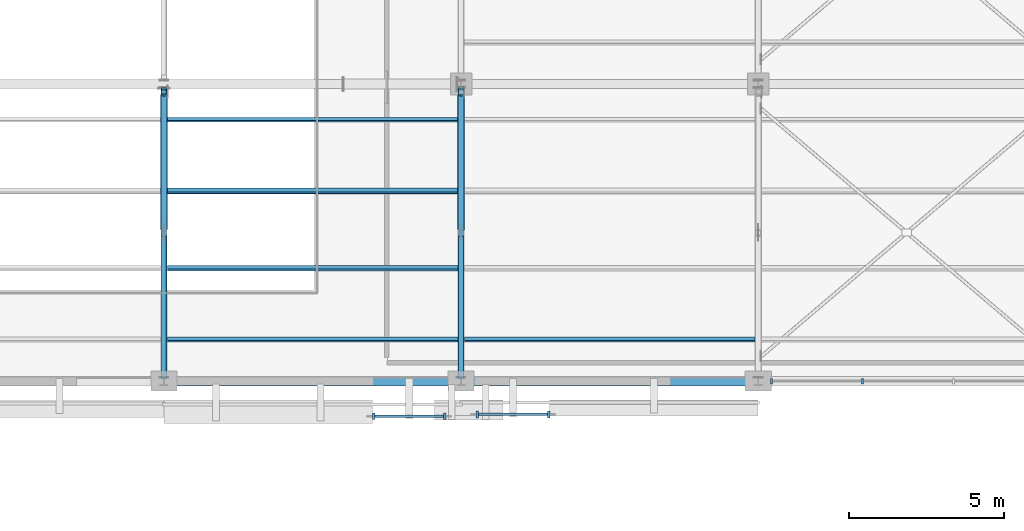
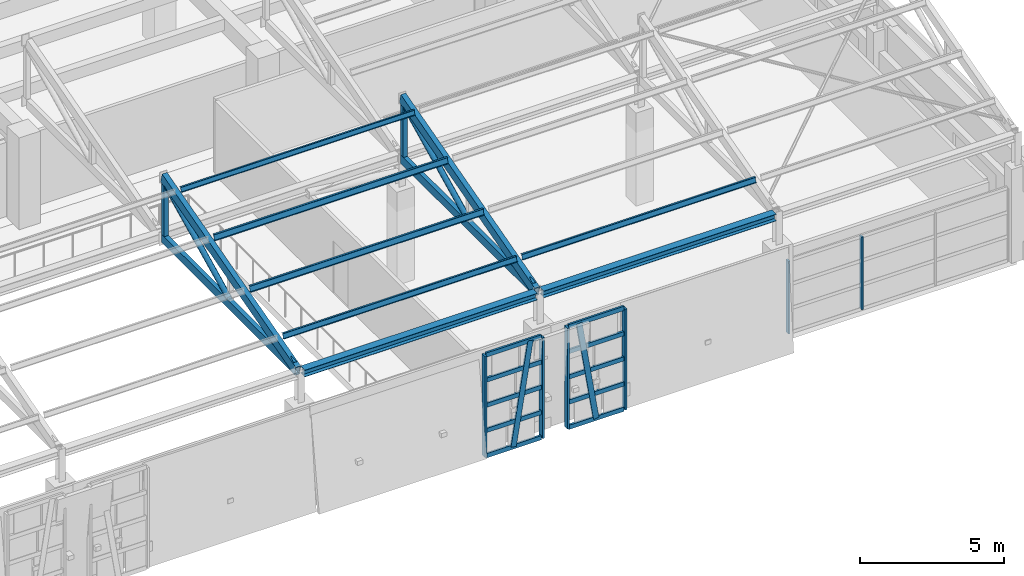
# One storey, part 16 of 58: 33 members, 2 beams, 3 elements without a shape of their own.
"""IFC4 building model written with IfcOpenShell, lengths in metres."""

from ifc_helpers import new_model, si_unit, direction, frame, origin, origin_2d, place, context, subcontext, project, spatial, rectangle, hollow_rectangle, hollow_circle, i_section, extrude, material, layer, layer_set, material_profile, profile_set, type_object, element, aggregate, save


model = new_model("IFC4")

# Units and contexts
model_context = context("Model", 3, precision=1e-05, world=origin(), true_north=direction((0.0, 1.0)))
body_context = subcontext(model_context, "Body", "Model", "MODEL_VIEW")
ifc_project = project(units=[si_unit("LENGTHUNIT", "METRE"), si_unit("AREAUNIT", "SQUARE_METRE"), si_unit("VOLUMEUNIT", "CUBIC_METRE"), si_unit("PLANEANGLEUNIT", "RADIAN"), si_unit("MASSUNIT", "GRAM", prefix="KILO")], contexts=[model_context])

# Site, building, storey
site_placement = place(None, origin())
site = spatial("IfcSite", under=ifc_project, at=site_placement, CompositionType="ELEMENT")
building_placement = place(site_placement, origin())
building = spatial("IfcBuilding", under=site, at=building_placement, Name="Bempovik Park Faculty of Sciences", CompositionType="ELEMENT")
storey_placement = place(building_placement, frame((0.0, 0.0, 18.300048828125)))
storey = spatial("IfcBuildingStorey", under=building, at=storey_placement, Name="L04", CompositionType="ELEMENT", Elevation=18.300048828125)

# Beams
ifc_material_1 = material(Name="Steel S355", Category="steel")
ifc_material_profile_1 = material_profile(ifc_material_1, i_section(OverallWidth=0.300048828125, OverallDepth=0.2900390625, WebThickness=0.008544921875, FlangeThickness=0.013916015625, at=origin_2d()), Name="HEA 300")
ifc_profile_set_1 = profile_set([ifc_material_profile_1], Name="Steel S355")
beam_type = type_object("IfcBeamType", Name="B-131 HEA 300", PredefinedType="BEAM", material=ifc_profile_set_1)
for number, where, z_axis, x_axis, name in (
    (1, (98.530029296875, 67.800048828125, 5.179931640625), (1.0, 0.0, 0.0), (0.0, 1.0, 0.0), "Sawtooth Valley Tie Beam V2-B1 (98.4-108.0)"),
    (2, (108.1298828125, 67.800048828125, 5.179931640625), (1.0, 0.0, 0.0), (0.0, 1.0, 0.0), "Sawtooth Valley Tie Beam V2-B1 (108.0-117.6)"),
):
    element("IfcBeam", number, at=place(storey_placement, frame(where, z_axis=z_axis, x_axis=x_axis)), inside=storey, type_object=beam_type, Name=name, PredefinedType="BEAM", context=body_context, shape_type="SweptSolid", body=[
        extrude(i_section(OverallWidth=0.300048828125, OverallDepth=0.2900390625, WebThickness=0.008544921875, FlangeThickness=0.013916015625, at=origin_2d()), origin(), (0.0, 0.0, 1.0), 9.340087890625),
    ])

# Members
ifc_material_profile_2 = material_profile(ifc_material_1, hollow_rectangle(XDim=0.175048828125, YDim=0.35009765625, WallThickness=0.012451171875, at=origin_2d()), Name="RHS 350x175x12.5")
ifc_profile_set_2 = profile_set([ifc_material_profile_2], Name="Steel S355")
member_type_1 = type_object("IfcMemberType", Name="M-15 RHS 350x175x12.5", PredefinedType="CHORD", material=ifc_profile_set_2)
member_1_placement = place(storey_placement, frame((98.39990234375, 67.93603515625, 5.179931640625), z_axis=(0.0, 1.0, 0.0), x_axis=(-1.0, 0.0, 0.0)))
element("IfcMember", 3, at=member_1_placement, inside=storey, type_object=member_type_1, Name="Sawtooth Bottom Chord V2-B1 (98.4)", PredefinedType="CHORD", context=body_context, shape_type="SweptSolid", body=[
    extrude(hollow_rectangle(XDim=0.175048828125, YDim=0.35009765625, WallThickness=0.012451171875, at=origin_2d()), origin(), (0.0, 0.0, 1.0), 9.307861328125),
])
member_2_placement = place(storey_placement, frame((108.0, 67.93603515625, 5.179931640625), z_axis=(0.0, 1.0, 0.0), x_axis=(-1.0, 0.0, 0.0)))
element("IfcMember", 4, at=member_2_placement, inside=storey, type_object=member_type_1, Name="Sawtooth Bottom Chord V2-B1 (108.0)", PredefinedType="CHORD", context=body_context, shape_type="SweptSolid", body=[
    extrude(hollow_rectangle(XDim=0.175048828125, YDim=0.35009765625, WallThickness=0.012451171875, at=origin_2d()), origin(), (0.0, 0.0, 1.0), 9.327880859375),
])
ifc_material_profile_3 = material_profile(ifc_material_1, i_section(OverallWidth=0.110107421875, OverallDepth=0.219970703125, WebThickness=0.005859375, FlangeThickness=0.00927734375, at=origin_2d()), Name="IPE 220")
ifc_profile_set_3 = profile_set([ifc_material_profile_3], Name="Steel S355")
member_type_2 = type_object("IfcMemberType", Name="M-18 IPE 220", PredefinedType="PURLIN", material=ifc_profile_set_3)
for number, where, z_axis, x_axis, name in (
    (5, (98.506103515625, 69.14404296875, 5.87744140625), (1.0, 0.0, 0.0), (0.0, 0.965925826289, -0.258819045103), "Sawtooth Roof Purlin V2-B1 (98.4-108.0) #1"),
    (6, (108.10595703125, 69.14404296875, 5.87744140625), (1.0, 0.0, 0.0), (0.0, 0.965925826289, -0.258819045103), "Sawtooth Roof Purlin V2-B1 (108.0-117.6) #1"),
):
    element("IfcMember", number, at=place(storey_placement, frame(where, z_axis=z_axis, x_axis=x_axis)), inside=storey, type_object=member_type_2, Name=name, PredefinedType="PURLIN", context=body_context, shape_type="SweptSolid", body=[
        extrude(i_section(OverallWidth=0.110107421875, OverallDepth=0.219970703125, WebThickness=0.005859375, FlangeThickness=0.00927734375, at=origin_2d()), origin(), (0.0, 0.0, 1.0), 9.387939453125),
    ])
ifc_material_profile_4 = material_profile(ifc_material_1, hollow_circle(Radius=0.109619140625, WallThickness=0.010009765625, at=origin_2d()), Name="CHS 219.1x10")
ifc_profile_set_4 = profile_set([ifc_material_profile_4], Name="Steel S355")
member_type_3 = type_object("IfcMemberType", Name="M-22 CHS 219.1x10", PredefinedType="BRACE", material=ifc_profile_set_4)
for number, where, z_axis, x_axis, name in (
    (7, (98.39990234375, 72.705078125, 5.36083984375), (0.0, 0.896782958268, 0.442470706105), (-1.0, 0.0, 0.0), "Sawtooth Web Diagonal 2 V2-B1 (98.4)"),
    (8, (108.0, 72.705078125, 5.36083984375), (0.0, 0.896782958268, 0.442470706105), (-1.0, 0.0, 0.0), "Sawtooth Web Diagonal 2 V2-B1 (108.0)"),
):
    element("IfcMember", number, at=place(storey_placement, frame(where, z_axis=z_axis, x_axis=x_axis)), inside=storey, type_object=member_type_3, Name=name, PredefinedType="BRACE", context=body_context, shape_type="SweptSolid", body=[
        extrude(hollow_circle(Radius=0.109619140625, WallThickness=0.010009765625, at=origin_2d()), origin(), (0.0, 0.0, 1.0), 4.844970703125),
    ])
ifc_material_profile_5 = material_profile(ifc_material_1, hollow_rectangle(XDim=0.179931640625, YDim=0.179931640625, WallThickness=0.008056640625, at=origin_2d()), Name="SHS 180x180x8")
ifc_profile_set_5 = profile_set([ifc_material_profile_5], Name="Steel S355")
member_type_4 = type_object("IfcMemberType", Name="M-40 SHS 180x180x8", PredefinedType="POST", material=ifc_profile_set_5)
for number, where, z_axis, x_axis, name in (
    (9, (98.39990234375, 77.14990234375, 5.36083984375), (0.0, 0.0, 1.0), (1.0, 0.0, 0.0), "Sawtooth North-Light Post V2-B1 (98.4)"),
    (10, (108.0, 77.14990234375, 5.36083984375), (0.0, 0.0, 1.0), (1.0, 0.0, 0.0), "Sawtooth North-Light Post V2-B1 (108.0)"),
):
    element("IfcMember", number, at=place(storey_placement, frame(where, z_axis=z_axis, x_axis=x_axis)), inside=storey, type_object=member_type_4, Name=name, PredefinedType="POST", context=body_context, shape_type="SweptSolid", body=[
        extrude(hollow_rectangle(XDim=0.179931640625, YDim=0.179931640625, WallThickness=0.008056640625, at=origin_2d()), origin(), (0.0, 0.0, 1.0), 2.143798828125),
    ])
ifc_material_profile_6 = material_profile(ifc_material_1, i_section(OverallWidth=0.10009765625, OverallDepth=0.199951171875, WebThickness=0.005615234375, FlangeThickness=0.008544921875, at=origin_2d()), Name="IPE 200")
ifc_profile_set_6 = profile_set([ifc_material_profile_6], Name="Steel S355")
member_type_5 = type_object("IfcMemberType", Name="M-48 IPE 200", PredefinedType="PURLIN", material=ifc_profile_set_6)
member_3_placement = place(storey_placement, frame((98.506103515625, 76.248046875, 7.790771484375), z_axis=(1.0, 0.0, 0.0), x_axis=(0.0, 0.965925826289, -0.258819045103)))
element("IfcMember", 11, at=member_3_placement, inside=storey, type_object=member_type_5, Name="Sawtooth Roof Purlin V2-B1 (98.4-108.0) #4", PredefinedType="PURLIN", context=body_context, shape_type="SweptSolid", body=[
    extrude(i_section(OverallWidth=0.10009765625, OverallDepth=0.199951171875, WebThickness=0.005615234375, FlangeThickness=0.008544921875, at=origin_2d()), origin(), (0.0, 0.0, 1.0), 9.387939453125),
])
ifc_material_profile_7 = material_profile(ifc_material_1, hollow_rectangle(XDim=0.199951171875, YDim=0.39990234375, WallThickness=0.01611328125, at=origin_2d()), Name="RHS 400x200x16")
ifc_profile_set_7 = profile_set([ifc_material_profile_7], Name="Steel S355")
member_type_6 = type_object("IfcMemberType", Name="M-53 RHS 400x200x16", PredefinedType="CHORD", material=ifc_profile_set_7)
member_4_placement = place(storey_placement, frame((98.39990234375, 67.93603515625, 5.182373046875), z_axis=(0.0, 0.963870941046, 0.266369684849), x_axis=(-1.0, 0.0, 0.0)))
element("IfcMember", 12, at=member_4_placement, inside=storey, type_object=member_type_6, Name="Sawtooth Top Rafter Chord V2-B1 (98.4)", PredefinedType="CHORD", context=body_context, shape_type="SweptSolid", body=[
    extrude(hollow_rectangle(XDim=0.199951171875, YDim=0.39990234375, WallThickness=0.01611328125, at=origin_2d()), origin(), (0.0, 0.0, 1.0), 9.65673828125),
])
member_5_placement = place(storey_placement, frame((108.0, 67.93603515625, 5.182373046875), z_axis=(0.0, 0.964017594472, 0.265838442572), x_axis=(-1.0, 0.0, 0.0)))
element("IfcMember", 13, at=member_5_placement, inside=storey, type_object=member_type_6, Name="Sawtooth Top Rafter Chord V2-B1 (108.0)", PredefinedType="CHORD", context=body_context, shape_type="SweptSolid", body=[
    extrude(hollow_rectangle(XDim=0.199951171875, YDim=0.39990234375, WallThickness=0.01611328125, at=origin_2d()), origin(), (0.0, 0.0, 1.0), 9.676025390625),
])
ifc_material_profile_8 = material_profile(ifc_material_1, hollow_circle(Radius=0.096923828125, WallThickness=0.008056640625, at=origin_2d()), Name="CHS 193.7x8")
ifc_profile_set_8 = profile_set([ifc_material_profile_8], Name="Steel S355")
member_type_7 = type_object("IfcMemberType", Name="M-74 CHS 193.7x8", PredefinedType="BRACE", material=ifc_profile_set_8)
for number, where, z_axis, x_axis, name in (
    (14, (98.39990234375, 68.110107421875, 5.36083984375), (0.0, 0.980118341504, 0.198413801554), (-1.0, 0.0, 0.0), "Sawtooth Web Diagonal 1 V2-B1 (98.4)"),
    (15, (108.0, 68.110107421875, 5.36083984375), (0.0, 0.980118341504, 0.198413801554), (-1.0, 0.0, 0.0), "Sawtooth Web Diagonal 1 V2-B1 (108.0)"),
):
    element("IfcMember", number, at=place(storey_placement, frame(where, z_axis=z_axis, x_axis=x_axis)), inside=storey, type_object=member_type_7, Name=name, PredefinedType="BRACE", context=body_context, shape_type="SweptSolid", body=[
        extrude(hollow_circle(Radius=0.096923828125, WallThickness=0.008056640625, at=origin_2d()), origin(), (0.0, 0.0, 1.0), 4.473876953125),
    ])
ifc_material_profile_9 = material_profile(ifc_material_1, i_section(OverallWidth=0.1201171875, OverallDepth=0.239990234375, WebThickness=0.006103515625, FlangeThickness=0.009765625, at=origin_2d()), Name="IPE 240")
ifc_profile_set_9 = profile_set([ifc_material_profile_9], Name="Steel S355")
member_type_8 = type_object("IfcMemberType", Name="M-86 IPE 240", PredefinedType="PURLIN", material=ifc_profile_set_9)
for number, where, z_axis, x_axis, name in (
    (16, (98.506103515625, 71.447998046875, 6.48486328125), (1.0, 0.0, 0.0), (0.0, 0.965925826289, -0.258819045103), "Sawtooth Roof Purlin V2-B1 (98.4-108.0) #2"),
    (17, (98.506103515625, 73.944091796875, 7.153564453125), (1.0, 0.0, 0.0), (0.0, 0.965925826289, -0.258819045103), "Sawtooth Roof Purlin V2-B1 (98.4-108.0) #3"),
):
    element("IfcMember", number, at=place(storey_placement, frame(where, z_axis=z_axis, x_axis=x_axis)), inside=storey, type_object=member_type_8, Name=name, PredefinedType="PURLIN", context=body_context, shape_type="SweptSolid", body=[
        extrude(i_section(OverallWidth=0.1201171875, OverallDepth=0.239990234375, WebThickness=0.006103515625, FlangeThickness=0.009765625, at=origin_2d()), origin(), (0.0, 0.0, 1.0), 9.387939453125),
    ])

# Curtain wall, members
ifc_material_2 = material(Name="Tempered laminated low-E glass", Category="glass")
ifc_layer_1 = layer(ifc_material_2, 0.159912109375)
ifc_layer_set_1 = layer_set([ifc_layer_1], Name="Tempered laminated low-E glass")
curtain_wall_type_1 = type_object("IfcCurtainWallType", Name="CW-41 Curtain 6600x3800", PredefinedType="USERDEFINED", material=ifc_layer_set_1)
curtain_wall_1_placement = place(storey_placement, origin())
curtain_wall_1 = element("IfcCurtainWall", 18, at=curtain_wall_1_placement, inside=storey, type_object=curtain_wall_type_1, Name="L04 Unitised Curtain Wall (67.8,117.6)", ObjectType="UNITISED CURTAIN WALL", PredefinedType="USERDEFINED")
ifc_material_3 = material(Name="Anodised architectural bronze", Category="aluminium")
ifc_material_profile_10 = material_profile(ifc_material_3, rectangle(XDim=0.06494140625, YDim=0.169921875, at=origin_2d()), Name="ALU-M 65x170")
ifc_profile_set_10 = profile_set([ifc_material_profile_10], Name="Anodised architectural bronze")
member_type_9 = type_object("IfcMemberType", Name="ML-15 ALU-M 65x170", PredefinedType="MULLION", material=ifc_profile_set_10)
member_6_placement = place(storey_placement, frame((118.027099609375, 67.800048828125, 0.0), z_axis=(0.0, 0.0, 1.0), x_axis=(1.0, 0.0, 0.0)))
member_6 = element("IfcMember", 19, at=member_6_placement, type_object=member_type_9, Name="CW-BAY-L04-678-1176 Mullion 0", PredefinedType="MULLION", context=body_context, shape_type="SweptSolid", body=[
    extrude(rectangle(XDim=0.06494140625, YDim=0.169921875, at=origin_2d()), origin(), (0.0, 0.0, 1.0), 3.079833984375),
])
member_7_placement = place(storey_placement, frame((120.96728515625, 67.800048828125, 0.0), z_axis=(0.0, 0.0, 1.0), x_axis=(1.0, 0.0, 0.0)))
member_7 = element("IfcMember", 20, at=member_7_placement, type_object=member_type_9, Name="CW-BAY-L04-678-1176 Mullion 1", PredefinedType="MULLION", context=body_context, shape_type="SweptSolid", body=[
    extrude(rectangle(XDim=0.06494140625, YDim=0.169921875, at=origin_2d()), origin(), (0.0, 0.0, 1.0), 3.079833984375),
])
aggregate(curtain_wall_1, [member_6, member_7])

ifc_layer_2 = layer(ifc_material_2, 0.159912109375)
ifc_layer_set_2 = layer_set([ifc_layer_2], Name="Tempered laminated low-E glass")
curtain_wall_type_2 = type_object("IfcCurtainWallType", Name="CW-33 Curtain 2400x4000", PredefinedType="USERDEFINED", material=ifc_layer_set_2)
curtain_wall_2_placement = place(storey_placement, origin())
curtain_wall_2 = element("IfcCurtainWall", 21, at=curtain_wall_2_placement, inside=storey, type_object=curtain_wall_type_2, Name="L04 Crystal Slantwise Light Fold (67.8,98.4)", ObjectType="UNITISED CURTAIN WALL", PredefinedType="USERDEFINED")
ifc_material_profile_11 = material_profile(ifc_material_3, rectangle(XDim=0.080078125, YDim=0.219970703125, at=origin_2d()), Name="ALU-M 80x220")
ifc_profile_set_11 = profile_set([ifc_material_profile_11], Name="Anodised architectural bronze")
member_type_10 = type_object("IfcMemberType", Name="ML-29 ALU-M 80x220", PredefinedType="MULLION", material=ifc_profile_set_11)
member_8_placement = place(storey_placement, frame((105.173095703125, 66.66748046875, -0.0400390625), z_axis=(0.0, 0.0, 1.0), x_axis=(1.0, 0.0, 0.0)))
member_8 = element("IfcMember", 22, at=member_8_placement, type_object=member_type_10, Name="CW-FOLD-L04-678-984 Mullion 0", PredefinedType="MULLION", context=body_context, shape_type="SweptSolid", body=[
    extrude(rectangle(XDim=0.080078125, YDim=0.219970703125, at=origin_2d()), origin(), (0.0, 0.0, 1.0), 4.280029296875),
])
member_9_placement = place(storey_placement, frame((106.322998046875, 66.66748046875, -0.0400390625), z_axis=(0.156894017146, 0.0, 0.987615445092), x_axis=(0.0, 1.0, 0.0)))
member_9 = element("IfcMember", 23, at=member_9_placement, type_object=member_type_10, Name="CW-FOLD-L04-678-984 Mullion 1", PredefinedType="MULLION", context=body_context, shape_type="SweptSolid", body=[
    extrude(rectangle(XDim=0.080078125, YDim=0.219970703125, at=origin_2d()), origin(), (0.0, 0.0, 1.0), 4.333740234375),
])
member_10_placement = place(storey_placement, frame((107.472900390625, 66.66748046875, -0.0400390625), z_axis=(0.0, 0.0, 1.0), x_axis=(1.0, 0.0, 0.0)))
member_10 = element("IfcMember", 24, at=member_10_placement, type_object=member_type_10, Name="CW-FOLD-L04-678-984 Mullion 2", PredefinedType="MULLION", context=body_context, shape_type="SweptSolid", body=[
    extrude(rectangle(XDim=0.080078125, YDim=0.219970703125, at=origin_2d()), origin(), (0.0, 0.0, 1.0), 4.280029296875),
])

curtain_wall_3_placement = place(storey_placement, origin())
curtain_wall_3 = element("IfcCurtainWall", 25, at=curtain_wall_3_placement, inside=storey, type_object=curtain_wall_type_2, Name="L04 Crystal Slantwise Light Fold (67.8,108.0)", ObjectType="UNITISED CURTAIN WALL", PredefinedType="USERDEFINED")
member_11_placement = place(storey_placement, frame((108.527099609375, 66.7265625, -0.0400390625), z_axis=(0.0, 0.0, 1.0), x_axis=(1.0, 0.0, 0.0)))
member_11 = element("IfcMember", 26, at=member_11_placement, type_object=member_type_10, Name="CW-FOLD-L04-678-1080 Mullion 0", PredefinedType="MULLION", context=body_context, shape_type="SweptSolid", body=[
    extrude(rectangle(XDim=0.080078125, YDim=0.219970703125, at=origin_2d()), origin(), (0.0, 0.0, 1.0), 4.280029296875),
])
member_12_placement = place(storey_placement, frame((109.677001953125, 66.7265625, -0.0400390625), z_axis=(-0.156894017146, 0.0, 0.987615445092), x_axis=(0.0, -1.0, 0.0)))
member_12 = element("IfcMember", 27, at=member_12_placement, type_object=member_type_10, Name="CW-FOLD-L04-678-1080 Mullion 1", PredefinedType="MULLION", context=body_context, shape_type="SweptSolid", body=[
    extrude(rectangle(XDim=0.080078125, YDim=0.219970703125, at=origin_2d()), origin(), (0.0, 0.0, 1.0), 4.333740234375),
])
member_13_placement = place(storey_placement, frame((110.826904296875, 66.7265625, -0.0400390625), z_axis=(0.0, 0.0, 1.0), x_axis=(1.0, 0.0, 0.0)))
member_13 = element("IfcMember", 28, at=member_13_placement, type_object=member_type_10, Name="CW-FOLD-L04-678-1080 Mullion 2", PredefinedType="MULLION", context=body_context, shape_type="SweptSolid", body=[
    extrude(rectangle(XDim=0.080078125, YDim=0.219970703125, at=origin_2d()), origin(), (0.0, 0.0, 1.0), 4.280029296875),
])

# Member
ifc_material_profile_12 = material_profile(ifc_material_3, rectangle(XDim=0.080078125, YDim=0.179931640625, at=origin_2d()), Name="ALU-T 80x180")
ifc_profile_set_12 = profile_set([ifc_material_profile_12], Name="Anodised architectural bronze")
member_type_11 = type_object("IfcMemberType", Name="TR-29 ALU-T 80x180", PredefinedType="USERDEFINED", material=ifc_profile_set_12)
member_14_placement = place(storey_placement, frame((105.212890625, 66.66748046875, -0.0400390625), z_axis=(1.0, 0.0, 0.0), x_axis=(0.0, 1.0, 0.0)))
member_14 = element("IfcMember", 29, at=member_14_placement, type_object=member_type_11, Name="CW-FOLD-L04-678-984 Transom 0", ObjectType="TRANSOM", PredefinedType="USERDEFINED", context=body_context, shape_type="SweptSolid", body=[
    extrude(rectangle(XDim=0.080078125, YDim=0.179931640625, at=origin_2d()), origin(), (0.0, 0.0, 1.0), 2.22021484375),
])

member_15_placement = place(storey_placement, frame((105.212890625, 66.66748046875, 1.030029296875), z_axis=(1.0, 0.0, 0.0), x_axis=(0.0, 1.0, 0.0)))
member_15 = element("IfcMember", 30, at=member_15_placement, type_object=member_type_11, Name="CW-FOLD-L04-678-984 Transom 1", ObjectType="TRANSOM", PredefinedType="USERDEFINED", context=body_context, shape_type="SweptSolid", body=[
    extrude(rectangle(XDim=0.080078125, YDim=0.179931640625, at=origin_2d()), origin(), (0.0, 0.0, 1.0), 2.22021484375),
])

member_16_placement = place(storey_placement, frame((105.212890625, 66.66748046875, 2.099853515625), z_axis=(1.0, 0.0, 0.0), x_axis=(0.0, 1.0, 0.0)))
member_16 = element("IfcMember", 31, at=member_16_placement, type_object=member_type_11, Name="CW-FOLD-L04-678-984 Transom 2", ObjectType="TRANSOM", PredefinedType="USERDEFINED", context=body_context, shape_type="SweptSolid", body=[
    extrude(rectangle(XDim=0.080078125, YDim=0.179931640625, at=origin_2d()), origin(), (0.0, 0.0, 1.0), 2.22021484375),
])

member_17_placement = place(storey_placement, frame((105.212890625, 66.66748046875, 3.169921875), z_axis=(1.0, 0.0, 0.0), x_axis=(0.0, 1.0, 0.0)))
member_17 = element("IfcMember", 32, at=member_17_placement, type_object=member_type_11, Name="CW-FOLD-L04-678-984 Transom 3", ObjectType="TRANSOM", PredefinedType="USERDEFINED", context=body_context, shape_type="SweptSolid", body=[
    extrude(rectangle(XDim=0.080078125, YDim=0.179931640625, at=origin_2d()), origin(), (0.0, 0.0, 1.0), 2.22021484375),
])

member_18_placement = place(storey_placement, frame((105.212890625, 66.66748046875, 4.239990234375), z_axis=(1.0, 0.0, 0.0), x_axis=(0.0, 1.0, 0.0)))
member_18 = element("IfcMember", 33, at=member_18_placement, type_object=member_type_11, Name="CW-FOLD-L04-678-984 Transom 4", ObjectType="TRANSOM", PredefinedType="USERDEFINED", context=body_context, shape_type="SweptSolid", body=[
    extrude(rectangle(XDim=0.080078125, YDim=0.179931640625, at=origin_2d()), origin(), (0.0, 0.0, 1.0), 2.22021484375),
])

aggregate(curtain_wall_2, [member_8, member_9, member_10, member_14, member_15, member_16, member_17, member_18])

member_19_placement = place(storey_placement, frame((108.56689453125, 66.7265625, -0.0400390625), z_axis=(1.0, 0.0, 0.0), x_axis=(0.0, 1.0, 0.0)))
member_19 = element("IfcMember", 34, at=member_19_placement, type_object=member_type_11, Name="CW-FOLD-L04-678-1080 Transom 0", ObjectType="TRANSOM", PredefinedType="USERDEFINED", context=body_context, shape_type="SweptSolid", body=[
    extrude(rectangle(XDim=0.080078125, YDim=0.179931640625, at=origin_2d()), origin(), (0.0, 0.0, 1.0), 2.22021484375),
])

member_20_placement = place(storey_placement, frame((108.56689453125, 66.7265625, 1.030029296875), z_axis=(1.0, 0.0, 0.0), x_axis=(0.0, 1.0, 0.0)))
member_20 = element("IfcMember", 35, at=member_20_placement, type_object=member_type_11, Name="CW-FOLD-L04-678-1080 Transom 1", ObjectType="TRANSOM", PredefinedType="USERDEFINED", context=body_context, shape_type="SweptSolid", body=[
    extrude(rectangle(XDim=0.080078125, YDim=0.179931640625, at=origin_2d()), origin(), (0.0, 0.0, 1.0), 2.22021484375),
])

member_21_placement = place(storey_placement, frame((108.56689453125, 66.7265625, 2.099853515625), z_axis=(1.0, 0.0, 0.0), x_axis=(0.0, 1.0, 0.0)))
member_21 = element("IfcMember", 36, at=member_21_placement, type_object=member_type_11, Name="CW-FOLD-L04-678-1080 Transom 2", ObjectType="TRANSOM", PredefinedType="USERDEFINED", context=body_context, shape_type="SweptSolid", body=[
    extrude(rectangle(XDim=0.080078125, YDim=0.179931640625, at=origin_2d()), origin(), (0.0, 0.0, 1.0), 2.22021484375),
])

member_22_placement = place(storey_placement, frame((108.56689453125, 66.7265625, 3.169921875), z_axis=(1.0, 0.0, 0.0), x_axis=(0.0, 1.0, 0.0)))
member_22 = element("IfcMember", 37, at=member_22_placement, type_object=member_type_11, Name="CW-FOLD-L04-678-1080 Transom 3", ObjectType="TRANSOM", PredefinedType="USERDEFINED", context=body_context, shape_type="SweptSolid", body=[
    extrude(rectangle(XDim=0.080078125, YDim=0.179931640625, at=origin_2d()), origin(), (0.0, 0.0, 1.0), 2.22021484375),
])

member_23_placement = place(storey_placement, frame((108.56689453125, 66.7265625, 4.239990234375), z_axis=(1.0, 0.0, 0.0), x_axis=(0.0, 1.0, 0.0)))
member_23 = element("IfcMember", 38, at=member_23_placement, type_object=member_type_11, Name="CW-FOLD-L04-678-1080 Transom 4", ObjectType="TRANSOM", PredefinedType="USERDEFINED", context=body_context, shape_type="SweptSolid", body=[
    extrude(rectangle(XDim=0.080078125, YDim=0.179931640625, at=origin_2d()), origin(), (0.0, 0.0, 1.0), 2.22021484375),
])

aggregate(curtain_wall_3, [member_11, member_12, member_13, member_19, member_20, member_21, member_22, member_23])

save(model, "model.ifc")
